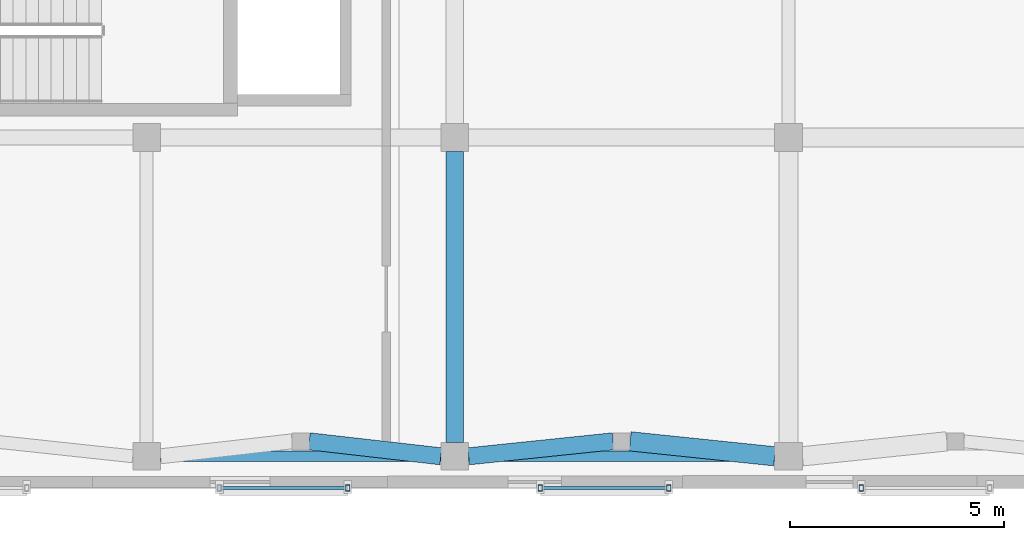
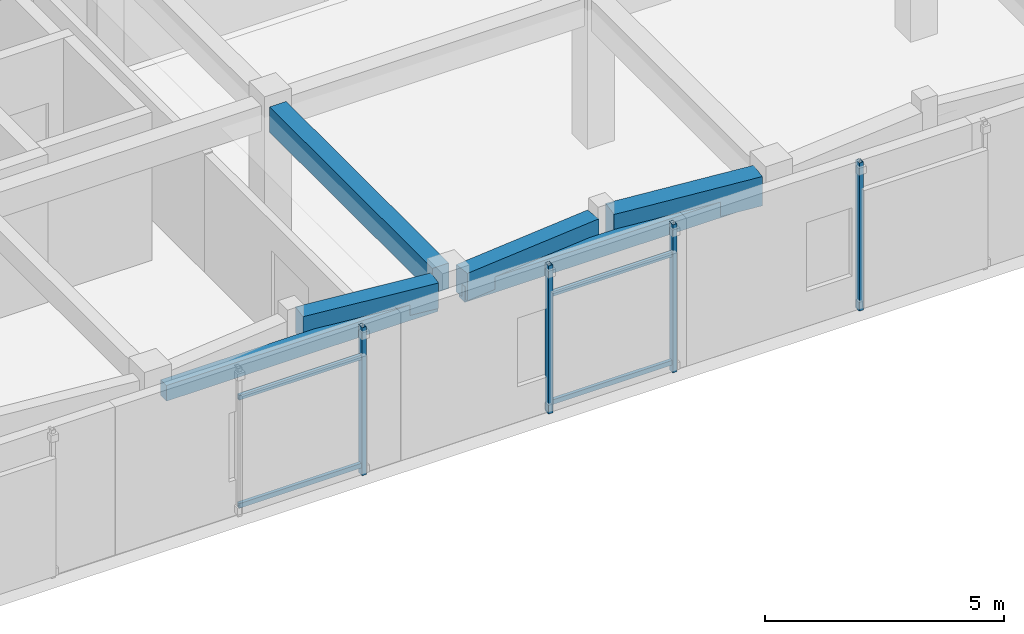
# One storey, part 48 of 146: 8 members, 6 beams.
"""IFC4 building model written with IfcOpenShell, lengths in metres."""

from ifc_helpers import new_model, si_unit, direction, frame, origin, origin_2d, place, context, subcontext, project, spatial, rectangle, hollow_rectangle, extrude, material, material_profile, profile_set, type_object, element, save


model = new_model("IFC4")

# Units and contexts
model_context = context("Model", 3, precision=1e-05, world=origin(), true_north=direction((0.0, 1.0)))
body_context = subcontext(model_context, "Body", "Model", "MODEL_VIEW")
ifc_project = project(units=[si_unit("LENGTHUNIT", "METRE"), si_unit("AREAUNIT", "SQUARE_METRE"), si_unit("VOLUMEUNIT", "CUBIC_METRE"), si_unit("PLANEANGLEUNIT", "RADIAN"), si_unit("MASSUNIT", "GRAM", prefix="KILO")], contexts=[model_context])

# Site, building, storey
site_placement = place(None, origin())
site = spatial("IfcSite", under=ifc_project, at=site_placement, CompositionType="ELEMENT")
building_placement = place(site_placement, origin())
building = spatial("IfcBuilding", under=site, at=building_placement, Name="Valcora Specialist Clinic", CompositionType="ELEMENT")
storey_placement = place(building_placement, frame((0.0, 0.0, 9.52001953125)))
storey = spatial("IfcBuildingStorey", under=building, at=storey_placement, Name="L02", CompositionType="ELEMENT", Elevation=9.52001953125)

# Beams
ifc_material_1 = material(Name="Concrete C40/50", Category="concrete")
ifc_material_profile_1 = material_profile(ifc_material_1, rectangle(XDim=0.39990234375, YDim=0.64990234375, at=origin_2d()), Name="RC-BM-400X650")
ifc_profile_set_1 = profile_set([ifc_material_profile_1], Name="Concrete C40/50")
beam_type_1 = type_object("IfcBeamType", Name="TY-BM-RC400X650", PredefinedType="BEAM", material=ifc_profile_set_1)
beam_1_placement = place(storey_placement, frame((65.60009765625, 1.10009765625, 3.455078125), z_axis=(0.993580893822, -0.113123858812, 0.0), x_axis=(0.113123858812, 0.993580893822, 0.0)))
element("IfcBeam", 1, at=beam_1_placement, inside=storey, type_object=beam_type_1, Name="Beam BM-L02-1359", PredefinedType="BEAM", context=body_context, shape_type="SweptSolid", body=[
    extrude(rectangle(XDim=0.39990234375, YDim=0.64990234375, at=origin_2d()), origin(), (0.0, 0.0, 1.0), 3.0947265625),
])
beam_2_placement = place(storey_placement, frame((69.0, 1.074951171875, 3.455078125), z_axis=(0.0, 1.0, 0.0), x_axis=(-1.0, 0.0, 0.0)))
element("IfcBeam", 2, at=beam_2_placement, inside=storey, type_object=beam_type_1, Name="Beam BM-L02-1399", PredefinedType="BEAM", context=body_context, shape_type="SweptSolid", body=[
    extrude(rectangle(XDim=0.39990234375, YDim=0.64990234375, at=origin_2d()), origin(), (0.0, 0.0, 1.0), 6.800048828125),
])
ifc_material_profile_2 = material_profile(ifc_material_1, rectangle(XDim=0.39990234375, YDim=0.699951171875, at=origin_2d()), Name="RC-BM-400X700")
ifc_profile_set_2 = profile_set([ifc_material_profile_2], Name="Concrete C40/50")
beam_type_2 = type_object("IfcBeamType", Name="TY-BM-RC400X700", PredefinedType="BEAM", material=ifc_profile_set_2)
beam_3_placement = place(storey_placement, frame((69.324951171875, 0.75, 3.429931640625), z_axis=(0.994662804408, 0.103178997506, 0.0), x_axis=(-0.103178997506, 0.994662804408, 0.0)))
element("IfcBeam", 3, at=beam_3_placement, inside=storey, type_object=beam_type_2, Name="Beam BM-L02-1360", PredefinedType="BEAM", context=body_context, shape_type="SweptSolid", body=[
    extrude(rectangle(XDim=0.39990234375, YDim=0.699951171875, at=origin_2d()), origin(), (0.0, 0.0, 1.0), 3.39306640625),
])
ifc_material_profile_3 = material_profile(ifc_material_1, rectangle(XDim=0.449951171875, YDim=0.75, at=origin_2d()), Name="RC-BM-450X750")
ifc_profile_set_3 = profile_set([ifc_material_profile_3], Name="Concrete C40/50")
beam_type_3 = type_object("IfcBeamType", Name="TY-BM-RC450X750", PredefinedType="BEAM", material=ifc_profile_set_3)
beam_4_placement = place(storey_placement, frame((73.10009765625, 1.10009765625, 3.405029296875), z_axis=(0.994662804408, -0.103178997506, 0.0), x_axis=(0.103178997506, 0.994662804408, 0.0)))
element("IfcBeam", 4, at=beam_4_placement, inside=storey, type_object=beam_type_3, Name="Beam BM-L02-1361", PredefinedType="BEAM", context=body_context, shape_type="SweptSolid", body=[
    extrude(rectangle(XDim=0.449951171875, YDim=0.75, at=origin_2d()), origin(), (0.0, 0.0, 1.0), 3.39306640625),
])
ifc_material_profile_4 = material_profile(ifc_material_1, rectangle(XDim=0.25, YDim=0.39990234375, at=origin_2d()), Name="RC-LN-250X400")
ifc_profile_set_4 = profile_set([ifc_material_profile_4], Name="Concrete C40/50")
beam_type_4 = type_object("IfcBeamType", Name="TY-LN-RC250X400", PredefinedType="LINTEL", material=ifc_profile_set_4)
beam_5_placement = place(storey_placement, frame((62.125, 0.75, 3.199951171875), z_axis=(1.0, 0.0, 0.0), x_axis=(0.0, 1.0, 0.0)))
element("IfcBeam", 5, at=beam_5_placement, inside=storey, type_object=beam_type_4, Name="Facade lintel 4 BM-L02-1653", PredefinedType="LINTEL", context=body_context, shape_type="SweptSolid", body=[
    extrude(rectangle(XDim=0.25, YDim=0.39990234375, at=origin_2d()), origin(), (0.0, 0.0, 1.0), 6.550048828125),
])
beam_6_placement = place(storey_placement, frame((69.324951171875, 0.75, 3.199951171875), z_axis=(1.0, 0.0, 0.0), x_axis=(0.0, 1.0, 0.0)))
element("IfcBeam", 6, at=beam_6_placement, inside=storey, type_object=beam_type_4, Name="Facade lintel 5 BM-L02-1654", PredefinedType="LINTEL", context=body_context, shape_type="SweptSolid", body=[
    extrude(rectangle(XDim=0.25, YDim=0.39990234375, at=origin_2d()), origin(), (0.0, 0.0, 1.0), 7.150146484375),
])

# Members
ifc_material_2 = material(Name="Steel ASTM A500 Grade C", Category="steel")
ifc_material_profile_5 = material_profile(ifc_material_2, hollow_rectangle(XDim=0.10009765625, YDim=0.14990234375, WallThickness=0.006103515625, at=origin_2d()), Name="ST-RHS-150X100X6")
ifc_profile_set_5 = profile_set([ifc_material_profile_5], Name="Steel ASTM A500 Grade C")
member_type_1 = type_object("IfcMemberType", Name="TY-MB-SFPOST", PredefinedType="POST", material=ifc_profile_set_5)
for number, where, z_axis, x_axis, name in (
    (7, (66.5, 0.010009765625, 0.0), (0.0, 0.0, 1.0), (1.0, 0.0, 0.0), "Brick screen carrier post 102"),
    (8, (71.0, 0.010009765625, 0.0), (0.0, 0.0, 1.0), (1.0, 0.0, 0.0), "Brick screen carrier post 105"),
    (9, (74.0, 0.010009765625, 0.0), (0.0, 0.0, 1.0), (1.0, 0.0, 0.0), "Brick screen carrier post 106"),
    (10, (78.5, 0.010009765625, 0.0), (0.0, 0.0, 1.0), (1.0, 0.0, 0.0), "Brick screen carrier post 109"),
):
    element("IfcMember", number, at=place(storey_placement, frame(where, z_axis=z_axis, x_axis=x_axis)), inside=storey, type_object=member_type_1, Name=name, PredefinedType="POST", context=body_context, shape_type="SweptSolid", body=[
        extrude(hollow_rectangle(XDim=0.10009765625, YDim=0.14990234375, WallThickness=0.006103515625, at=origin_2d()), origin(), (0.0, 0.0, 1.0), 3.780029296875),
    ])
ifc_material_profile_6 = material_profile(ifc_material_2, hollow_rectangle(XDim=0.080078125, YDim=0.1201171875, WallThickness=0.0048828125, at=origin_2d()), Name="ST-RHS-120X80X5")
ifc_profile_set_6 = profile_set([ifc_material_profile_6], Name="Steel ASTM A500 Grade C")
member_type_2 = type_object("IfcMemberType", Name="TY-MB-SFRAIL", PredefinedType="STRINGER", material=ifc_profile_set_6)
for number, where, z_axis, x_axis, name in (
    (11, (63.5, 0.010009765625, 0.239990234375), (1.0, 0.0, 0.0), (0.0, 1.0, 0.0), "Brick screen carrier rail 103"),
    (12, (63.5, 0.010009765625, 3.0), (1.0, 0.0, 0.0), (0.0, 1.0, 0.0), "Brick screen carrier rail 104"),
    (13, (71.0, 0.010009765625, 0.239990234375), (1.0, 0.0, 0.0), (0.0, 1.0, 0.0), "Brick screen carrier rail 107"),
    (14, (71.0, 0.010009765625, 3.0), (1.0, 0.0, 0.0), (0.0, 1.0, 0.0), "Brick screen carrier rail 108"),
):
    element("IfcMember", number, at=place(storey_placement, frame(where, z_axis=z_axis, x_axis=x_axis)), inside=storey, type_object=member_type_2, Name=name, PredefinedType="STRINGER", context=body_context, shape_type="SweptSolid", body=[
        extrude(hollow_rectangle(XDim=0.080078125, YDim=0.1201171875, WallThickness=0.0048828125, at=origin_2d()), origin(), (0.0, 0.0, 1.0), 3.0),
    ])

save(model, "model.ifc")
